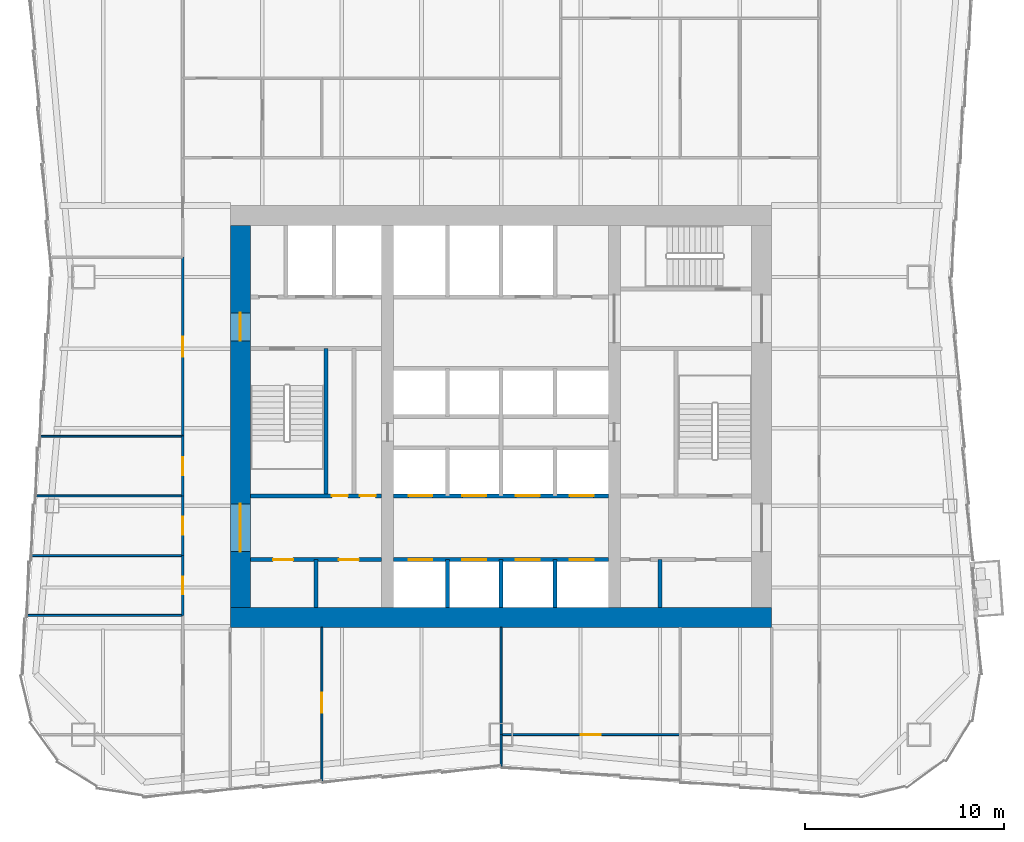
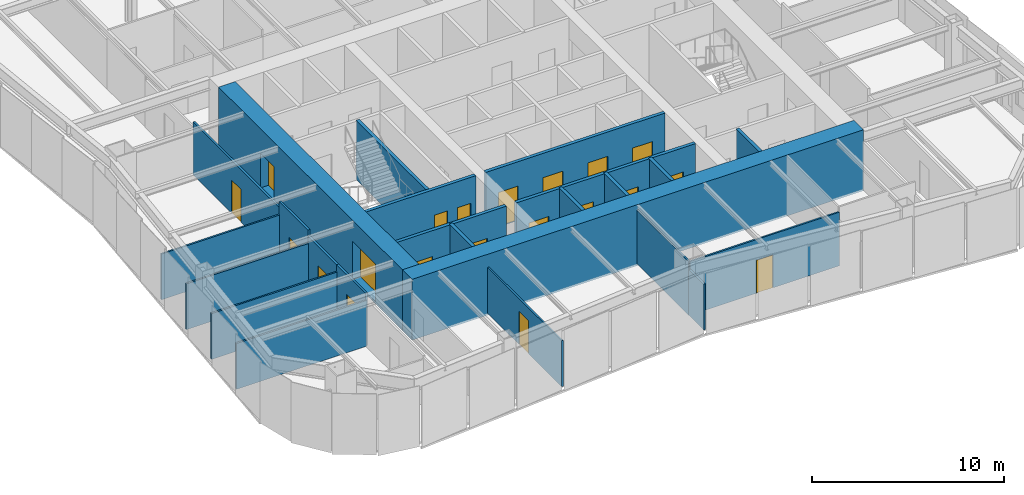
# One storey, part 4 of 9: 24 walls, 20 doors, 20 openings.
"""IFC4 building model written with IfcOpenShell, lengths in metres."""

from ifc_helpers import new_model, si_unit, direction, frame, frame_2d, origin, place, context, subcontext, project, spatial, rectangle, extrude, material, layer, layer_set, type_object, element, fill, save


model = new_model("IFC4")

# Units and contexts
model_context = context("Model", 3, precision=1e-05, world=origin(), true_north=direction((0.0, 1.0)))
body_context = subcontext(model_context, "Body", "Model", "MODEL_VIEW")
ifc_project = project(units=[si_unit("LENGTHUNIT", "METRE"), si_unit("AREAUNIT", "SQUARE_METRE"), si_unit("VOLUMEUNIT", "CUBIC_METRE"), si_unit("PLANEANGLEUNIT", "RADIAN"), si_unit("MASSUNIT", "GRAM", prefix="KILO")], contexts=[model_context])

# Site, building, storey
site_placement = place(None, origin())
site = spatial("IfcSite", under=ifc_project, at=site_placement, CompositionType="ELEMENT")
building_placement = place(site_placement, origin())
building = spatial("IfcBuilding", under=site, at=building_placement, Name="Verdant Reach Tower", CompositionType="ELEMENT")
storey_placement = place(building_placement, frame((0.0, 0.0, 166.0)))
storey = spatial("IfcBuildingStorey", under=building, at=storey_placement, Name="L38", CompositionType="ELEMENT", Elevation=166.0)

# Wall, openings, doors
ifc_material_1 = material(Name="Gypsum board on steel studs", Category="steel")
ifc_layer_1 = layer(ifc_material_1, 0.199951171875)
ifc_layer_set_1 = layer_set([ifc_layer_1], Name="CO-WALL-ROOM")
wall_type_1 = type_object("IfcWallType", Name="CO-WALL-ROOM", PredefinedType="PARTITIONING", material=ifc_layer_set_1)
wall_1_placement = place(storey_placement, frame((-12.60009765625, 20.800048828125, 0.0), z_axis=(0.0, 0.0, 1.0), x_axis=(1.0, 0.0, 0.0)))
wall_1 = element("IfcWall", 1, at=wall_1_placement, inside=storey, type_object=wall_type_1, Name="Core partition, L38", PredefinedType="PARTITIONING", context=body_context, shape_type="SweptSolid", body=[
    extrude(rectangle(XDim=6.60009765625, YDim=0.199951171875, at=frame_2d((3.300048828125, 0.0))), origin(), (0.0, 0.0, 1.0), 3.75),
])
opening_1_placement = place(wall_1_placement, frame((1.14990234375, 0.0, 0.0)))
opening_1 = element("IfcOpeningElement", 2, at=opening_1_placement, cuts=wall_1, Name="Opening CD", PredefinedType="OPENING", context=body_context, shape_type="SweptSolid", body=[
    extrude(rectangle(XDim=1.0, YDim=2.10009765625, at=frame_2d((0.5, 1.050048828125))), frame((0.0, 0.10986328125, 0.0), z_axis=(0.0, -1.0, 0.0), x_axis=(1.0, 0.0, 0.0)), (0.0, 0.0, 1.0), 0.219970703125),
])
opening_2_placement = place(wall_1_placement, frame((4.449951171875, 0.0, 0.0)))
opening_2 = element("IfcOpeningElement", 3, at=opening_2_placement, cuts=wall_1, Name="Opening CD", PredefinedType="OPENING", context=body_context, shape_type="SweptSolid", body=[
    extrude(rectangle(XDim=1.0, YDim=2.10009765625, at=frame_2d((0.5, 1.050048828125))), frame((0.0, 0.10986328125, 0.0), z_axis=(0.0, -1.0, 0.0), x_axis=(1.0, 0.0, 0.0)), (0.0, 0.0, 1.0), 0.219970703125),
])
ifc_material_2 = material(Name="Timber", Category="wood")
door_type_1 = type_object("IfcDoorType", Name="CO-DOOR-ROOM", OperationType="NOTDEFINED", PredefinedType="DOOR", material=ifc_material_2)
door_1_placement = place(opening_1_placement, origin())
door_1 = element("IfcDoor", 4, at=door_1_placement, inside=storey, type_object=door_type_1, Name="Core room door, L38", OperationType="SINGLE_SWING_LEFT", OverallHeight=2.10009765625, OverallWidth=1.0, PredefinedType="DOOR", context=body_context, shape_type="SweptSolid", body=[
    extrude(rectangle(XDim=1.0, YDim=2.10009765625, at=frame_2d((0.5, 1.050048828125))), frame((0.0, 0.02490234375, 0.0), z_axis=(0.0, -1.0, 0.0), x_axis=(1.0, 0.0, 0.0)), (0.0, 0.0, 1.0), 0.050048828125),
])
fill(opening_1, door_1)
door_2_placement = place(opening_2_placement, origin())
door_2 = element("IfcDoor", 5, at=door_2_placement, inside=storey, type_object=door_type_1, Name="Core room door, L38", OperationType="SINGLE_SWING_LEFT", OverallHeight=2.10009765625, OverallWidth=1.0, PredefinedType="DOOR", context=body_context, shape_type="SweptSolid", body=[
    extrude(rectangle(XDim=1.0, YDim=2.10009765625, at=frame_2d((0.5, 1.050048828125))), frame((0.0, 0.02490234375, 0.0), z_axis=(0.0, -1.0, 0.0), x_axis=(1.0, 0.0, 0.0)), (0.0, 0.0, 1.0), 0.050048828125),
])
fill(opening_2, door_2)

# Walls
for number, where, z_axis, x_axis, name in (
    (6, (-9.300048828125, 18.39990234375, 0.0), (0.0, 0.0, 1.0), (0.0, 1.0, 0.0), "Core partition, L38"),
    (7, (7.97998046875, 18.39990234375, 0.0), (0.0, 0.0, 1.0), (0.0, 1.0, 0.0), "Core partition, L38"),
):
    element("IfcWall", number, at=place(storey_placement, frame(where, z_axis=z_axis, x_axis=x_axis)), inside=storey, type_object=wall_type_1, Name=name, PredefinedType="PARTITIONING", context=body_context, shape_type="SweptSolid", body=[
        extrude(rectangle(XDim=2.400146484375, YDim=0.199951171875, at=frame_2d((1.2001953125, 0.0))), origin(), (0.0, 0.0, 1.0), 3.75),
    ])

# Wall, openings, doors
ifc_material_3 = material(Name="Concrete C40/50", Category="concrete")
ifc_layer_2 = layer(ifc_material_3, 0.199951171875)
ifc_layer_set_2 = layer_set([ifc_layer_2], Name="CO-WALL-SHAFT")
wall_type_2 = type_object("IfcWallType", Name="CO-WALL-SHAFT", PredefinedType="PARTITIONING", material=ifc_layer_set_2)
wall_2_placement = place(storey_placement, frame((-5.39990234375, 20.800048828125, 0.0), z_axis=(0.0, 0.0, 1.0), x_axis=(1.0, 0.0, 0.0)))
wall_2 = element("IfcWall", 8, at=wall_2_placement, inside=storey, type_object=wall_type_2, Name="Lift shaft wall, L38", PredefinedType="PARTITIONING", context=body_context, shape_type="SweptSolid", body=[
    extrude(rectangle(XDim=10.7998046875, YDim=0.199951171875, at=frame_2d((5.39990234375, 0.0))), origin(), (0.0, 0.0, 1.0), 3.75),
])
opening_3_placement = place(wall_2_placement, frame((0.75, 0.0, 0.0)))
opening_3 = element("IfcOpeningElement", 9, at=opening_3_placement, cuts=wall_2, Name="Opening LD-A1", PredefinedType="OPENING", context=body_context, shape_type="SweptSolid", body=[
    extrude(rectangle(XDim=1.199951171875, YDim=2.199951171875, at=frame_2d((0.60009765625, 1.10009765625))), frame((0.0, 0.10986328125, 0.0), z_axis=(0.0, -1.0, 0.0), x_axis=(1.0, 0.0, 0.0)), (0.0, 0.0, 1.0), 0.219970703125),
])
opening_4_placement = place(wall_2_placement, frame((3.449951171875, 0.0, 0.0)))
opening_4 = element("IfcOpeningElement", 10, at=opening_4_placement, cuts=wall_2, Name="Opening LD-A2", PredefinedType="OPENING", context=body_context, shape_type="SweptSolid", body=[
    extrude(rectangle(XDim=1.199951171875, YDim=2.199951171875, at=frame_2d((0.60009765625, 1.10009765625))), frame((0.0, 0.10986328125, 0.0), z_axis=(0.0, -1.0, 0.0), x_axis=(1.0, 0.0, 0.0)), (0.0, 0.0, 1.0), 0.219970703125),
])
opening_5_placement = place(wall_2_placement, frame((6.14990234375, 0.0, 0.0)))
opening_5 = element("IfcOpeningElement", 11, at=opening_5_placement, cuts=wall_2, Name="Opening LD-A3", PredefinedType="OPENING", context=body_context, shape_type="SweptSolid", body=[
    extrude(rectangle(XDim=1.199951171875, YDim=2.199951171875, at=frame_2d((0.60009765625, 1.10009765625))), frame((0.0, 0.10986328125, 0.0), z_axis=(0.0, -1.0, 0.0), x_axis=(1.0, 0.0, 0.0)), (0.0, 0.0, 1.0), 0.219970703125),
])
opening_6_placement = place(wall_2_placement, frame((8.85009765625, 0.0, 0.0)))
opening_6 = element("IfcOpeningElement", 12, at=opening_6_placement, cuts=wall_2, Name="Opening LD-A4", PredefinedType="OPENING", context=body_context, shape_type="SweptSolid", body=[
    extrude(rectangle(XDim=1.199951171875, YDim=2.199951171875, at=frame_2d((0.60009765625, 1.10009765625))), frame((0.0, 0.10986328125, 0.0), z_axis=(0.0, -1.0, 0.0), x_axis=(1.0, 0.0, 0.0)), (0.0, 0.0, 1.0), 0.219970703125),
])
ifc_material_4 = material(Name="Stainless steel", Category="steel")
door_type_2 = type_object("IfcDoorType", Name="CO-DOOR-LANDING", OperationType="SLIDING_TO_LEFT", PredefinedType="DOOR", material=ifc_material_4)
door_3_placement = place(opening_3_placement, origin())
door_3 = element("IfcDoor", 13, at=door_3_placement, inside=storey, type_object=door_type_2, Name="Landing door A1, L38", OperationType="SLIDING_TO_LEFT", OverallHeight=2.199951171875, OverallWidth=1.199951171875, PredefinedType="DOOR", context=body_context, shape_type="SweptSolid", body=[
    extrude(rectangle(XDim=1.199951171875, YDim=2.199951171875, at=frame_2d((0.60009765625, 1.10009765625))), frame((0.0, 0.02490234375, 0.0), z_axis=(0.0, -1.0, 0.0), x_axis=(1.0, 0.0, 0.0)), (0.0, 0.0, 1.0), 0.050048828125),
])
fill(opening_3, door_3)
door_4_placement = place(opening_4_placement, origin())
door_4 = element("IfcDoor", 14, at=door_4_placement, inside=storey, type_object=door_type_2, Name="Landing door A2, L38", OperationType="SLIDING_TO_LEFT", OverallHeight=2.199951171875, OverallWidth=1.199951171875, PredefinedType="DOOR", context=body_context, shape_type="SweptSolid", body=[
    extrude(rectangle(XDim=1.199951171875, YDim=2.199951171875, at=frame_2d((0.60009765625, 1.10009765625))), frame((0.0, 0.02490234375, 0.0), z_axis=(0.0, -1.0, 0.0), x_axis=(1.0, 0.0, 0.0)), (0.0, 0.0, 1.0), 0.050048828125),
])
fill(opening_4, door_4)
door_5_placement = place(opening_5_placement, origin())
door_5 = element("IfcDoor", 15, at=door_5_placement, inside=storey, type_object=door_type_2, Name="Landing door A3, L38", OperationType="SLIDING_TO_LEFT", OverallHeight=2.199951171875, OverallWidth=1.199951171875, PredefinedType="DOOR", context=body_context, shape_type="SweptSolid", body=[
    extrude(rectangle(XDim=1.199951171875, YDim=2.199951171875, at=frame_2d((0.60009765625, 1.10009765625))), frame((0.0, 0.02490234375, 0.0), z_axis=(0.0, -1.0, 0.0), x_axis=(1.0, 0.0, 0.0)), (0.0, 0.0, 1.0), 0.050048828125),
])
fill(opening_5, door_5)
door_6_placement = place(opening_6_placement, origin())
door_6 = element("IfcDoor", 16, at=door_6_placement, inside=storey, type_object=door_type_2, Name="Landing door A4, L38", OperationType="SLIDING_TO_LEFT", OverallHeight=2.199951171875, OverallWidth=1.199951171875, PredefinedType="DOOR", context=body_context, shape_type="SweptSolid", body=[
    extrude(rectangle(XDim=1.199951171875, YDim=2.199951171875, at=frame_2d((0.60009765625, 1.10009765625))), frame((0.0, 0.02490234375, 0.0), z_axis=(0.0, -1.0, 0.0), x_axis=(1.0, 0.0, 0.0)), (0.0, 0.0, 1.0), 0.050048828125),
])
fill(opening_6, door_6)

wall_3_placement = place(storey_placement, frame((-5.39990234375, 24.0, 0.0), z_axis=(0.0, 0.0, 1.0), x_axis=(1.0, 0.0, 0.0)))
wall_3 = element("IfcWall", 17, at=wall_3_placement, inside=storey, type_object=wall_type_2, Name="Lift shaft wall, L38", PredefinedType="PARTITIONING", context=body_context, shape_type="SweptSolid", body=[
    extrude(rectangle(XDim=10.7998046875, YDim=0.199951171875, at=frame_2d((5.39990234375, 0.0))), origin(), (0.0, 0.0, 1.0), 3.75),
])
opening_7_placement = place(wall_3_placement, frame((0.75, 0.0, 0.0)))
opening_7 = element("IfcOpeningElement", 18, at=opening_7_placement, cuts=wall_3, Name="Opening LD-A5", PredefinedType="OPENING", context=body_context, shape_type="SweptSolid", body=[
    extrude(rectangle(XDim=1.199951171875, YDim=2.199951171875, at=frame_2d((0.60009765625, 1.10009765625))), frame((0.0, 0.10986328125, 0.0), z_axis=(0.0, -1.0, 0.0), x_axis=(1.0, 0.0, 0.0)), (0.0, 0.0, 1.0), 0.219970703125),
])
opening_8_placement = place(wall_3_placement, frame((3.449951171875, 0.0, 0.0)))
opening_8 = element("IfcOpeningElement", 19, at=opening_8_placement, cuts=wall_3, Name="Opening LD-A6", PredefinedType="OPENING", context=body_context, shape_type="SweptSolid", body=[
    extrude(rectangle(XDim=1.199951171875, YDim=2.199951171875, at=frame_2d((0.60009765625, 1.10009765625))), frame((0.0, 0.10986328125, 0.0), z_axis=(0.0, -1.0, 0.0), x_axis=(1.0, 0.0, 0.0)), (0.0, 0.0, 1.0), 0.219970703125),
])
opening_9_placement = place(wall_3_placement, frame((6.14990234375, 0.0, 0.0)))
opening_9 = element("IfcOpeningElement", 20, at=opening_9_placement, cuts=wall_3, Name="Opening LD-A7", PredefinedType="OPENING", context=body_context, shape_type="SweptSolid", body=[
    extrude(rectangle(XDim=1.199951171875, YDim=2.199951171875, at=frame_2d((0.60009765625, 1.10009765625))), frame((0.0, 0.10986328125, 0.0), z_axis=(0.0, -1.0, 0.0), x_axis=(1.0, 0.0, 0.0)), (0.0, 0.0, 1.0), 0.219970703125),
])
opening_10_placement = place(wall_3_placement, frame((8.85009765625, 0.0, 0.0)))
opening_10 = element("IfcOpeningElement", 21, at=opening_10_placement, cuts=wall_3, Name="Opening LD-A8", PredefinedType="OPENING", context=body_context, shape_type="SweptSolid", body=[
    extrude(rectangle(XDim=1.199951171875, YDim=2.199951171875, at=frame_2d((0.60009765625, 1.10009765625))), frame((0.0, 0.10986328125, 0.0), z_axis=(0.0, -1.0, 0.0), x_axis=(1.0, 0.0, 0.0)), (0.0, 0.0, 1.0), 0.219970703125),
])
door_7_placement = place(opening_7_placement, origin())
door_7 = element("IfcDoor", 22, at=door_7_placement, inside=storey, type_object=door_type_2, Name="Landing door A5, L38", OperationType="SLIDING_TO_LEFT", OverallHeight=2.199951171875, OverallWidth=1.199951171875, PredefinedType="DOOR", context=body_context, shape_type="SweptSolid", body=[
    extrude(rectangle(XDim=1.199951171875, YDim=2.199951171875, at=frame_2d((0.60009765625, 1.10009765625))), frame((0.0, 0.02490234375, 0.0), z_axis=(0.0, -1.0, 0.0), x_axis=(1.0, 0.0, 0.0)), (0.0, 0.0, 1.0), 0.050048828125),
])
fill(opening_7, door_7)
door_8_placement = place(opening_8_placement, origin())
door_8 = element("IfcDoor", 23, at=door_8_placement, inside=storey, type_object=door_type_2, Name="Landing door A6, L38", OperationType="SLIDING_TO_LEFT", OverallHeight=2.199951171875, OverallWidth=1.199951171875, PredefinedType="DOOR", context=body_context, shape_type="SweptSolid", body=[
    extrude(rectangle(XDim=1.199951171875, YDim=2.199951171875, at=frame_2d((0.60009765625, 1.10009765625))), frame((0.0, 0.02490234375, 0.0), z_axis=(0.0, -1.0, 0.0), x_axis=(1.0, 0.0, 0.0)), (0.0, 0.0, 1.0), 0.050048828125),
])
fill(opening_8, door_8)
door_9_placement = place(opening_9_placement, origin())
door_9 = element("IfcDoor", 24, at=door_9_placement, inside=storey, type_object=door_type_2, Name="Landing door A7, L38", OperationType="SLIDING_TO_LEFT", OverallHeight=2.199951171875, OverallWidth=1.199951171875, PredefinedType="DOOR", context=body_context, shape_type="SweptSolid", body=[
    extrude(rectangle(XDim=1.199951171875, YDim=2.199951171875, at=frame_2d((0.60009765625, 1.10009765625))), frame((0.0, 0.02490234375, 0.0), z_axis=(0.0, -1.0, 0.0), x_axis=(1.0, 0.0, 0.0)), (0.0, 0.0, 1.0), 0.050048828125),
])
fill(opening_9, door_9)
door_10_placement = place(opening_10_placement, origin())
door_10 = element("IfcDoor", 25, at=door_10_placement, inside=storey, type_object=door_type_2, Name="Landing door A8, L38", OperationType="SLIDING_TO_LEFT", OverallHeight=2.199951171875, OverallWidth=1.199951171875, PredefinedType="DOOR", context=body_context, shape_type="SweptSolid", body=[
    extrude(rectangle(XDim=1.199951171875, YDim=2.199951171875, at=frame_2d((0.60009765625, 1.10009765625))), frame((0.0, 0.02490234375, 0.0), z_axis=(0.0, -1.0, 0.0), x_axis=(1.0, 0.0, 0.0)), (0.0, 0.0, 1.0), 0.050048828125),
])
fill(opening_10, door_10)

# Walls
for number, where, z_axis, x_axis, name in (
    (26, (-2.699951171875, 18.39990234375, 0.0), (0.0, 0.0, 1.0), (0.0, 1.0, 0.0), "Lift shaft wall, L38"),
    (27, (0.0, 18.39990234375, 0.0), (0.0, 0.0, 1.0), (0.0, 1.0, 0.0), "Lift shaft wall, L38"),
    (28, (2.699951171875, 18.39990234375, 0.0), (0.0, 0.0, 1.0), (0.0, 1.0, 0.0), "Lift shaft wall, L38"),
):
    element("IfcWall", number, at=place(storey_placement, frame(where, z_axis=z_axis, x_axis=x_axis)), inside=storey, type_object=wall_type_2, Name=name, PredefinedType="PARTITIONING", context=body_context, shape_type="SweptSolid", body=[
        extrude(rectangle(XDim=2.400146484375, YDim=0.199951171875, at=frame_2d((1.2001953125, 0.0))), origin(), (0.0, 0.0, 1.0), 3.75),
    ])

# Wall, openings, doors
ifc_layer_3 = layer(ifc_material_3, 0.199951171875)
ifc_layer_set_3 = layer_set([ifc_layer_3], Name="CO-WALL-STAIR")
wall_type_3 = type_object("IfcWallType", Name="CO-WALL-STAIR", PredefinedType="PARTITIONING", material=ifc_layer_set_3)
wall_4_placement = place(storey_placement, frame((-12.60009765625, 24.0, 0.0), z_axis=(0.0, 0.0, 1.0), x_axis=(1.0, 0.0, 0.0)))
wall_4 = element("IfcWall", 29, at=wall_4_placement, inside=storey, type_object=wall_type_3, Name="Stair enclosure wall, L38", PredefinedType="PARTITIONING", context=body_context, shape_type="SweptSolid", body=[
    extrude(rectangle(XDim=6.60009765625, YDim=0.199951171875, at=frame_2d((3.300048828125, 0.0))), origin(), (0.0, 0.0, 1.0), 3.75),
])
opening_11_placement = place(wall_4_placement, frame((4.10009765625, 0.0, 0.0)))
opening_11 = element("IfcOpeningElement", 30, at=opening_11_placement, cuts=wall_4, Name="Opening CDN", PredefinedType="OPENING", context=body_context, shape_type="SweptSolid", body=[
    extrude(rectangle(XDim=0.800048828125, YDim=2.10009765625, at=frame_2d((0.39990234375, 1.050048828125))), frame((0.0, 0.10986328125, 0.0), z_axis=(0.0, -1.0, 0.0), x_axis=(1.0, 0.0, 0.0)), (0.0, 0.0, 1.0), 0.219970703125),
])
opening_12_placement = place(wall_4_placement, frame((5.5, 0.0, 0.0)))
opening_12 = element("IfcOpeningElement", 31, at=opening_12_placement, cuts=wall_4, Name="Opening CDN", PredefinedType="OPENING", context=body_context, shape_type="SweptSolid", body=[
    extrude(rectangle(XDim=0.800048828125, YDim=2.10009765625, at=frame_2d((0.39990234375, 1.050048828125))), frame((0.0, 0.10986328125, 0.0), z_axis=(0.0, -1.0, 0.0), x_axis=(1.0, 0.0, 0.0)), (0.0, 0.0, 1.0), 0.219970703125),
])
door_type_3 = type_object("IfcDoorType", Name="CO-DOOR-ROOM-NARROW", OperationType="NOTDEFINED", PredefinedType="DOOR", material=ifc_material_2)
door_11_placement = place(opening_11_placement, origin())
door_11 = element("IfcDoor", 32, at=door_11_placement, inside=storey, type_object=door_type_3, Name="Core room door, L38", OperationType="SINGLE_SWING_LEFT", OverallHeight=2.10009765625, OverallWidth=0.800048828125, PredefinedType="DOOR", context=body_context, shape_type="SweptSolid", body=[
    extrude(rectangle(XDim=0.800048828125, YDim=2.10009765625, at=frame_2d((0.39990234375, 1.050048828125))), frame((0.0, 0.02490234375, 0.0), z_axis=(0.0, -1.0, 0.0), x_axis=(1.0, 0.0, 0.0)), (0.0, 0.0, 1.0), 0.050048828125),
])
fill(opening_11, door_11)
door_12_placement = place(opening_12_placement, origin())
door_12 = element("IfcDoor", 33, at=door_12_placement, inside=storey, type_object=door_type_3, Name="Core room door, L38", OperationType="SINGLE_SWING_RIGHT", OverallHeight=2.10009765625, OverallWidth=0.800048828125, PredefinedType="DOOR", context=body_context, shape_type="SweptSolid", body=[
    extrude(rectangle(XDim=0.800048828125, YDim=2.10009765625, at=frame_2d((0.39990234375, 1.050048828125))), frame((0.0, 0.02490234375, 0.0), z_axis=(0.0, -1.0, 0.0), x_axis=(1.0, 0.0, 0.0)), (0.0, 0.0, 1.0), 0.050048828125),
])
fill(opening_12, door_12)

# Walls
wall_5_placement = place(storey_placement, frame((-8.800048828125, 24.0, 0.0), z_axis=(0.0, 0.0, 1.0), x_axis=(0.0, 1.0, 0.0)))
element("IfcWall", 34, at=wall_5_placement, inside=storey, type_object=wall_type_3, Name="Stair enclosure wall, L38", PredefinedType="PARTITIONING", context=body_context, shape_type="SweptSolid", body=[
    extrude(rectangle(XDim=7.39990234375, YDim=0.199951171875, at=frame_2d((3.699951171875, 0.0))), origin(), (0.0, 0.0, 1.0), 3.75),
])
ifc_layer_4 = layer(ifc_material_1, 0.10009765625)
ifc_layer_set_4 = layer_set([ifc_layer_4], Name="FL-W1 Partition 100")
wall_type_4 = type_object("IfcWallType", Name="FL-W1 Partition 100", PredefinedType="PARTITIONING", material=ifc_layer_set_4)
wall_6_placement = place(storey_placement, frame((-16.0, 18.0, 0.0), z_axis=(0.0, 0.0, 1.0), x_axis=(-1.0, 0.0, 0.0)))
element("IfcWall", 35, at=wall_6_placement, inside=storey, type_object=wall_type_4, Name="Partition 38.21", PredefinedType="PARTITIONING", context=body_context, shape_type="SweptSolid", body=[
    extrude(rectangle(XDim=7.85498046875, YDim=0.10009765625, at=frame_2d((3.927490234375, 0.0))), origin(), (0.0, 0.0, 1.0), 2.919921875),
])
wall_7_placement = place(storey_placement, frame((-16.0, 21.0, 0.0), z_axis=(0.0, 0.0, 1.0), x_axis=(-1.0, 0.0, 0.0)))
element("IfcWall", 36, at=wall_7_placement, inside=storey, type_object=wall_type_4, Name="Partition 38.22", PredefinedType="PARTITIONING", context=body_context, shape_type="SweptSolid", body=[
    extrude(rectangle(XDim=7.6298828125, YDim=0.10009765625, at=frame_2d((3.81494140625, 0.0))), origin(), (0.0, 0.0, 1.0), 2.919921875),
])
wall_8_placement = place(storey_placement, frame((-16.0, 24.0, 0.0), z_axis=(0.0, 0.0, 1.0), x_axis=(-1.0, 0.0, 0.0)))
element("IfcWall", 37, at=wall_8_placement, inside=storey, type_object=wall_type_4, Name="Partition 38.23", PredefinedType="PARTITIONING", context=body_context, shape_type="SweptSolid", body=[
    extrude(rectangle(XDim=7.405029296875, YDim=0.10009765625, at=frame_2d((3.70263671875, 0.0))), origin(), (0.0, 0.0, 1.0), 2.919921875),
])
wall_9_placement = place(storey_placement, frame((-16.0, 27.0, 0.0), z_axis=(0.0, 0.0, 1.0), x_axis=(-1.0, 0.0, 0.0)))
element("IfcWall", 38, at=wall_9_placement, inside=storey, type_object=wall_type_4, Name="Partition 38.24", PredefinedType="PARTITIONING", context=body_context, shape_type="SweptSolid", body=[
    extrude(rectangle(XDim=7.179931640625, YDim=0.10009765625, at=frame_2d((3.58984375, 0.0))), origin(), (0.0, 0.0, 1.0), 2.919921875),
])

# Wall, opening, door
wall_10_placement = place(storey_placement, frame((-9.0, 17.39990234375, 0.0), z_axis=(0.0, 0.0, 1.0), x_axis=(0.0, -1.0, 0.0)))
wall_10 = element("IfcWall", 39, at=wall_10_placement, inside=storey, type_object=wall_type_4, Name="Partition 38.34", PredefinedType="PARTITIONING", context=body_context, shape_type="SweptSolid", body=[
    extrude(rectangle(XDim=7.72998046875, YDim=0.10009765625, at=frame_2d((3.864990234375, 0.0))), origin(), (0.0, 0.0, 1.0), 2.919921875),
])
opening_13_placement = place(wall_10_placement, frame((3.2998046875, 0.0, 0.0)))
opening_13 = element("IfcOpeningElement", 40, at=opening_13_placement, cuts=wall_10, Name="Opening D3", PredefinedType="OPENING", context=body_context, shape_type="SweptSolid", body=[
    extrude(rectangle(XDim=1.0, YDim=2.10009765625, at=frame_2d((0.5, 1.050048828125))), frame((0.0, 0.06005859375, 0.0), z_axis=(0.0, -1.0, 0.0), x_axis=(1.0, 0.0, 0.0)), (0.0, 0.0, 1.0), 0.1201171875),
])
ifc_material_5 = material(Name="Painted timber door leaf", Category="wood")
door_type_4 = type_object("IfcDoorType", Name="FL-D3 Door 1000x2100", OperationType="NOTDEFINED", PredefinedType="DOOR", material=ifc_material_5)
door_13_placement = place(opening_13_placement, origin())
door_13 = element("IfcDoor", 41, at=door_13_placement, inside=storey, type_object=door_type_4, Name="Door 38-017", OperationType="SINGLE_SWING_LEFT", OverallHeight=2.10009765625, OverallWidth=1.0, PredefinedType="DOOR", context=body_context, shape_type="SweptSolid", body=[
    extrude(rectangle(XDim=1.0, YDim=2.10009765625, at=frame_2d((0.5, 1.050048828125))), frame((0.0, 0.02490234375, 0.0), z_axis=(0.0, -1.0, 0.0), x_axis=(1.0, 0.0, 0.0)), (0.0, 0.0, 1.0), 0.050048828125),
])
fill(opening_13, door_13)

# Walls
wall_11_placement = place(storey_placement, frame((0.0, 10.419921875, 0.0), z_axis=(0.0, 0.0, 1.0), x_axis=(0.0, 1.0, 0.0)))
element("IfcWall", 42, at=wall_11_placement, inside=storey, type_object=wall_type_4, Name="Partition 38.35", PredefinedType="PARTITIONING", context=body_context, shape_type="SweptSolid", body=[
    extrude(rectangle(XDim=1.580078125, YDim=0.10009765625, at=frame_2d((0.7900390625, 0.0))), origin(), (0.0, 0.0, 1.0), 2.919921875),
])
wall_12_placement = place(storey_placement, frame((0.0, 12.0, 0.0), z_axis=(0.0, 0.0, 1.0), x_axis=(0.0, 1.0, 0.0)))
element("IfcWall", 43, at=wall_12_placement, inside=storey, type_object=wall_type_4, Name="Partition 38.36", PredefinedType="PARTITIONING", context=body_context, shape_type="SweptSolid", body=[
    extrude(rectangle(XDim=5.39990234375, YDim=0.10009765625, at=frame_2d((2.699951171875, 0.0))), origin(), (0.0, 0.0, 1.0), 3.419921875),
])

# Wall, opening, door
wall_13_placement = place(storey_placement, frame((0.0, 12.0, 0.0), z_axis=(0.0, 0.0, 1.0), x_axis=(1.0, 0.0, 0.0)))
wall_13 = element("IfcWall", 44, at=wall_13_placement, inside=storey, type_object=wall_type_4, Name="Partition 38.40", PredefinedType="PARTITIONING", context=body_context, shape_type="SweptSolid", body=[
    extrude(rectangle(XDim=9.0, YDim=0.10009765625, at=frame_2d((4.5, 0.0))), origin(), (0.0, 0.0, 1.0), 3.419921875),
])
opening_14_placement = place(wall_13_placement, frame((4.0, 0.0, 0.0)))
opening_14 = element("IfcOpeningElement", 45, at=opening_14_placement, cuts=wall_13, Name="Opening D3", PredefinedType="OPENING", context=body_context, shape_type="SweptSolid", body=[
    extrude(rectangle(XDim=1.0, YDim=2.10009765625, at=frame_2d((0.5, 1.050048828125))), frame((0.0, 0.06005859375, 0.0), z_axis=(0.0, -1.0, 0.0), x_axis=(1.0, 0.0, 0.0)), (0.0, 0.0, 1.0), 0.1201171875),
])
door_14_placement = place(opening_14_placement, origin())
door_14 = element("IfcDoor", 46, at=door_14_placement, inside=storey, type_object=door_type_4, Name="Door 38-020", OperationType="SINGLE_SWING_RIGHT", OverallHeight=2.10009765625, OverallWidth=1.0, PredefinedType="DOOR", context=body_context, shape_type="SweptSolid", body=[
    extrude(rectangle(XDim=1.0, YDim=2.10009765625, at=frame_2d((0.5, 1.050048828125))), frame((0.0, 0.02490234375, 0.0), z_axis=(0.0, -1.0, 0.0), x_axis=(1.0, 0.0, 0.0)), (0.0, 0.0, 1.0), 0.050048828125),
])
fill(opening_14, door_14)

ifc_material_6 = material(Name="Gypsum board on steel studs, fire rated", Category="steel")
ifc_layer_5 = layer(ifc_material_6, 0.125)
ifc_layer_set_5 = layer_set([ifc_layer_5], Name="FL-W2 Corridor wall 125")
wall_type_5 = type_object("IfcWallType", Name="FL-W2 Corridor wall 125", PredefinedType="PARTITIONING", material=ifc_layer_set_5)
wall_14_placement = place(storey_placement, frame((-16.0, 18.0, 0.0), z_axis=(0.0, 0.0, 1.0), x_axis=(0.0, 1.0, 0.0)))
wall_14 = element("IfcWall", 47, at=wall_14_placement, inside=storey, type_object=wall_type_5, Name="Partition 38.03", PredefinedType="PARTITIONING", context=body_context, shape_type="SweptSolid", body=[
    extrude(rectangle(XDim=3.0, YDim=0.125, at=frame_2d((1.5, 0.0))), origin(), (0.0, 0.0, 1.0), 3.360107421875),
])
opening_15_placement = place(wall_14_placement, frame((1.050048828125, 0.0, 0.0)))
opening_15 = element("IfcOpeningElement", 48, at=opening_15_placement, cuts=wall_14, Name="Opening D1", PredefinedType="OPENING", context=body_context, shape_type="SweptSolid", body=[
    extrude(rectangle(XDim=0.89990234375, YDim=2.10009765625, at=frame_2d((0.449951171875, 1.050048828125))), frame((0.0, 0.072509765625, 0.0), z_axis=(0.0, -1.0, 0.0), x_axis=(1.0, 0.0, 0.0)), (0.0, 0.0, 1.0), 0.14501953125),
])
door_type_5 = type_object("IfcDoorType", Name="FL-D1 Door 900x2100", OperationType="NOTDEFINED", PredefinedType="DOOR", material=ifc_material_5)
door_15_placement = place(opening_15_placement, origin())
door_15 = element("IfcDoor", 49, at=door_15_placement, inside=storey, type_object=door_type_5, Name="Door 38-003", OperationType="SINGLE_SWING_LEFT", OverallHeight=2.10009765625, OverallWidth=0.89990234375, PredefinedType="DOOR", context=body_context, shape_type="SweptSolid", body=[
    extrude(rectangle(XDim=0.89990234375, YDim=2.10009765625, at=frame_2d((0.449951171875, 1.050048828125))), frame((0.0, 0.02490234375, 0.0), z_axis=(0.0, -1.0, 0.0), x_axis=(1.0, 0.0, 0.0)), (0.0, 0.0, 1.0), 0.050048828125),
])
fill(opening_15, door_15)

wall_15_placement = place(storey_placement, frame((-16.0, 21.0, 0.0), z_axis=(0.0, 0.0, 1.0), x_axis=(0.0, 1.0, 0.0)))
wall_15 = element("IfcWall", 50, at=wall_15_placement, inside=storey, type_object=wall_type_5, Name="Partition 38.04", PredefinedType="PARTITIONING", context=body_context, shape_type="SweptSolid", body=[
    extrude(rectangle(XDim=3.0, YDim=0.125, at=frame_2d((1.5, 0.0))), origin(), (0.0, 0.0, 1.0), 3.360107421875),
])
opening_16_placement = place(wall_15_placement, frame((1.050048828125, 0.0, 0.0)))
opening_16 = element("IfcOpeningElement", 51, at=opening_16_placement, cuts=wall_15, Name="Opening D1", PredefinedType="OPENING", context=body_context, shape_type="SweptSolid", body=[
    extrude(rectangle(XDim=0.89990234375, YDim=2.10009765625, at=frame_2d((0.449951171875, 1.050048828125))), frame((0.0, 0.072509765625, 0.0), z_axis=(0.0, -1.0, 0.0), x_axis=(1.0, 0.0, 0.0)), (0.0, 0.0, 1.0), 0.14501953125),
])
door_16_placement = place(opening_16_placement, origin())
door_16 = element("IfcDoor", 52, at=door_16_placement, inside=storey, type_object=door_type_5, Name="Door 38-004", OperationType="SINGLE_SWING_RIGHT", OverallHeight=2.10009765625, OverallWidth=0.89990234375, PredefinedType="DOOR", context=body_context, shape_type="SweptSolid", body=[
    extrude(rectangle(XDim=0.89990234375, YDim=2.10009765625, at=frame_2d((0.449951171875, 1.050048828125))), frame((0.0, 0.02490234375, 0.0), z_axis=(0.0, -1.0, 0.0), x_axis=(1.0, 0.0, 0.0)), (0.0, 0.0, 1.0), 0.050048828125),
])
fill(opening_16, door_16)

wall_16_placement = place(storey_placement, frame((-16.0, 24.0, 0.0), z_axis=(0.0, 0.0, 1.0), x_axis=(0.0, 1.0, 0.0)))
wall_16 = element("IfcWall", 53, at=wall_16_placement, inside=storey, type_object=wall_type_5, Name="Partition 38.05", PredefinedType="PARTITIONING", context=body_context, shape_type="SweptSolid", body=[
    extrude(rectangle(XDim=3.0, YDim=0.125, at=frame_2d((1.5, 0.0))), origin(), (0.0, 0.0, 1.0), 3.75),
])
opening_17_placement = place(wall_16_placement, frame((1.050048828125, 0.0, 0.0)))
opening_17 = element("IfcOpeningElement", 54, at=opening_17_placement, cuts=wall_16, Name="Opening D1", PredefinedType="OPENING", context=body_context, shape_type="SweptSolid", body=[
    extrude(rectangle(XDim=0.89990234375, YDim=2.10009765625, at=frame_2d((0.449951171875, 1.050048828125))), frame((0.0, 0.072509765625, 0.0), z_axis=(0.0, -1.0, 0.0), x_axis=(1.0, 0.0, 0.0)), (0.0, 0.0, 1.0), 0.14501953125),
])
door_17_placement = place(opening_17_placement, origin())
door_17 = element("IfcDoor", 55, at=door_17_placement, inside=storey, type_object=door_type_5, Name="Door 38-005", OperationType="SINGLE_SWING_LEFT", OverallHeight=2.10009765625, OverallWidth=0.89990234375, PredefinedType="DOOR", context=body_context, shape_type="SweptSolid", body=[
    extrude(rectangle(XDim=0.89990234375, YDim=2.10009765625, at=frame_2d((0.449951171875, 1.050048828125))), frame((0.0, 0.02490234375, 0.0), z_axis=(0.0, -1.0, 0.0), x_axis=(1.0, 0.0, 0.0)), (0.0, 0.0, 1.0), 0.050048828125),
])
fill(opening_17, door_17)

wall_17_placement = place(storey_placement, frame((-16.0, 27.0, 0.0), z_axis=(0.0, 0.0, 1.0), x_axis=(0.0, 1.0, 0.0)))
wall_17 = element("IfcWall", 56, at=wall_17_placement, inside=storey, type_object=wall_type_5, Name="Partition 38.06", PredefinedType="PARTITIONING", context=body_context, shape_type="SweptSolid", body=[
    extrude(rectangle(XDim=9.0, YDim=0.125, at=frame_2d((4.5, 0.0))), origin(), (0.0, 0.0, 1.0), 3.360107421875),
])
opening_18_placement = place(wall_17_placement, frame((4.0, 0.0, 0.0)))
opening_18 = element("IfcOpeningElement", 57, at=opening_18_placement, cuts=wall_17, Name="Opening D2", PredefinedType="OPENING", context=body_context, shape_type="SweptSolid", body=[
    extrude(rectangle(XDim=1.0, YDim=2.10009765625, at=frame_2d((0.5, 1.050048828125))), frame((0.0, 0.072509765625, 0.0), z_axis=(0.0, -1.0, 0.0), x_axis=(1.0, 0.0, 0.0)), (0.0, 0.0, 1.0), 0.14501953125),
])
ifc_material_7 = material(Name="Timber door leaf, fire rated", Category="wood")
door_type_6 = type_object("IfcDoorType", Name="FL-D2 Entrance door 1000x2100 FD30", OperationType="NOTDEFINED", PredefinedType="DOOR", material=ifc_material_7)
door_18_placement = place(opening_18_placement, origin())
door_18 = element("IfcDoor", 58, at=door_18_placement, inside=storey, type_object=door_type_6, Name="Door 38-006", OperationType="SINGLE_SWING_RIGHT", OverallHeight=2.10009765625, OverallWidth=1.0, PredefinedType="DOOR", context=body_context, shape_type="SweptSolid", body=[
    extrude(rectangle(XDim=1.0, YDim=2.10009765625, at=frame_2d((0.5, 1.050048828125))), frame((0.0, 0.02490234375, 0.0), z_axis=(0.0, -1.0, 0.0), x_axis=(1.0, 0.0, 0.0)), (0.0, 0.0, 1.0), 0.050048828125),
])
fill(opening_18, door_18)

# Wall
ifc_material_8 = material(Name="Concrete C70/85", Category="concrete")
ifc_layer_6 = layer(ifc_material_8, 1.0)
ifc_layer_set_6 = layer_set([ifc_layer_6], Name="ST-CORE-WALL-1000")
wall_type_6 = type_object("IfcWallType", Name="ST-CORE-WALL-1000", PredefinedType="SHEAR", material=ifc_layer_set_6)
wall_18_placement = place(storey_placement, frame((-13.60009765625, 17.89990234375, -0.1298828125), z_axis=(0.0, 0.0, 1.0), x_axis=(1.0, 0.0, 0.0)))
element("IfcWall", 59, at=wall_18_placement, inside=storey, type_object=wall_type_6, Name="Core wall S, L38", PredefinedType="SHEAR", context=body_context, shape_type="SweptSolid", body=[
    extrude(rectangle(XDim=27.2001953125, YDim=1.0, at=frame_2d((13.60009765625, 0.0))), origin(), (0.0, 0.0, 1.0), 3.8798828125),
])

# Wall, openings, doors
wall_19_placement = place(storey_placement, frame((-13.10009765625, 18.39990234375, -0.1298828125), z_axis=(0.0, 0.0, 1.0), x_axis=(0.0, 1.0, 0.0)))
wall_19 = element("IfcWall", 60, at=wall_19_placement, inside=storey, type_object=wall_type_6, Name="Core wall W, L38", PredefinedType="SHEAR", context=body_context, shape_type="SweptSolid", body=[
    extrude(rectangle(XDim=19.2001953125, YDim=1.0, at=frame_2d((9.60009765625, 0.0))), origin(), (0.0, 0.0, 1.0), 3.8798828125),
])
opening_19_placement = place(wall_19_placement, frame((2.800048828125, 0.0, 0.1298828125)))
opening_19 = element("IfcOpeningElement", 61, at=opening_19_placement, cuts=wall_19, Name="Opening LB", PredefinedType="OPENING", context=body_context, shape_type="SweptSolid", body=[
    extrude(rectangle(XDim=2.39990234375, YDim=2.39990234375, at=frame_2d((1.199951171875, 1.199951171875))), frame((0.0, 0.510009765625, 0.0), z_axis=(0.0, -1.0, 0.0), x_axis=(1.0, 0.0, 0.0)), (0.0, 0.0, 1.0), 1.02001953125),
])
opening_20_placement = place(wall_19_placement, frame((13.39990234375, 0.0, 0.1298828125)))
opening_20 = element("IfcOpeningElement", 62, at=opening_20_placement, cuts=wall_19, Name="Opening FL", PredefinedType="OPENING", context=body_context, shape_type="SweptSolid", body=[
    extrude(rectangle(XDim=1.39990234375, YDim=2.199951171875, at=frame_2d((0.699951171875, 1.10009765625))), frame((0.0, 0.510009765625, 0.0), z_axis=(0.0, -1.0, 0.0), x_axis=(1.0, 0.0, 0.0)), (0.0, 0.0, 1.0), 1.02001953125),
])
ifc_material_9 = material(Name="Steel", Category="steel")
door_type_7 = type_object("IfcDoorType", Name="CO-DOOR-FFL", OperationType="NOTDEFINED", PredefinedType="DOOR", material=ifc_material_9)
door_19_placement = place(opening_20_placement, origin())
door_19 = element("IfcDoor", 63, at=door_19_placement, inside=storey, type_object=door_type_7, Name="Core entrance door, L38", OperationType="SINGLE_SWING_RIGHT", OverallHeight=2.199951171875, OverallWidth=1.39990234375, PredefinedType="DOOR", context=body_context, shape_type="SweptSolid", body=[
    extrude(rectangle(XDim=1.39990234375, YDim=2.199951171875, at=frame_2d((0.699951171875, 1.10009765625))), frame((0.0, 0.02490234375, 0.0), z_axis=(0.0, -1.0, 0.0), x_axis=(1.0, 0.0, 0.0)), (0.0, 0.0, 1.0), 0.050048828125),
])
fill(opening_20, door_19)
ifc_material_10 = material(Name="Glass and steel", Category="steel")
door_type_8 = type_object("IfcDoorType", Name="CO-DOOR-LOBBY", OperationType="DOUBLE_DOOR_SINGLE_SWING", PredefinedType="DOOR", material=ifc_material_10)
door_20_placement = place(opening_19_placement, origin())
door_20 = element("IfcDoor", 64, at=door_20_placement, inside=storey, type_object=door_type_8, Name="Core entrance door, L38", OperationType="DOUBLE_DOOR_SINGLE_SWING", OverallHeight=2.39990234375, OverallWidth=2.39990234375, PredefinedType="DOOR", context=body_context, shape_type="SweptSolid", body=[
    extrude(rectangle(XDim=2.39990234375, YDim=2.39990234375, at=frame_2d((1.199951171875, 1.199951171875))), frame((0.0, 0.02490234375, 0.0), z_axis=(0.0, -1.0, 0.0), x_axis=(1.0, 0.0, 0.0)), (0.0, 0.0, 1.0), 0.050048828125),
])
fill(opening_19, door_20)

save(model, "model.ifc")
